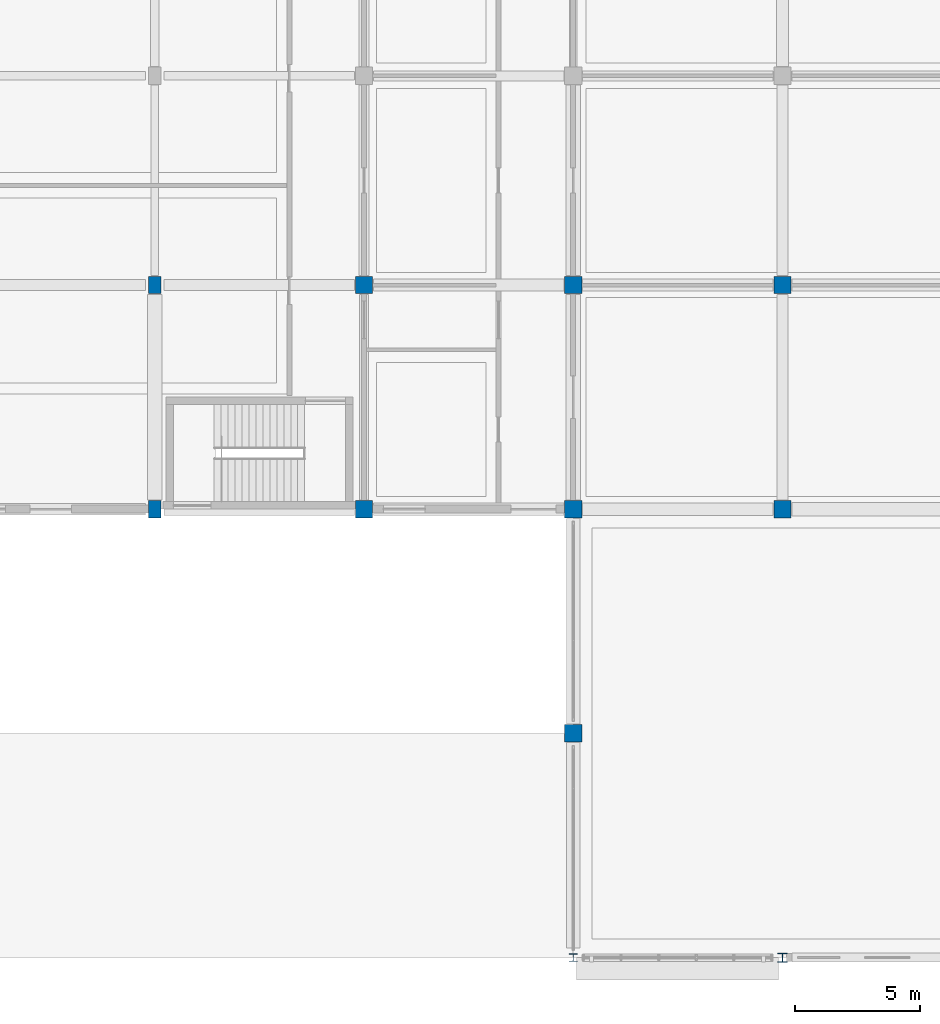
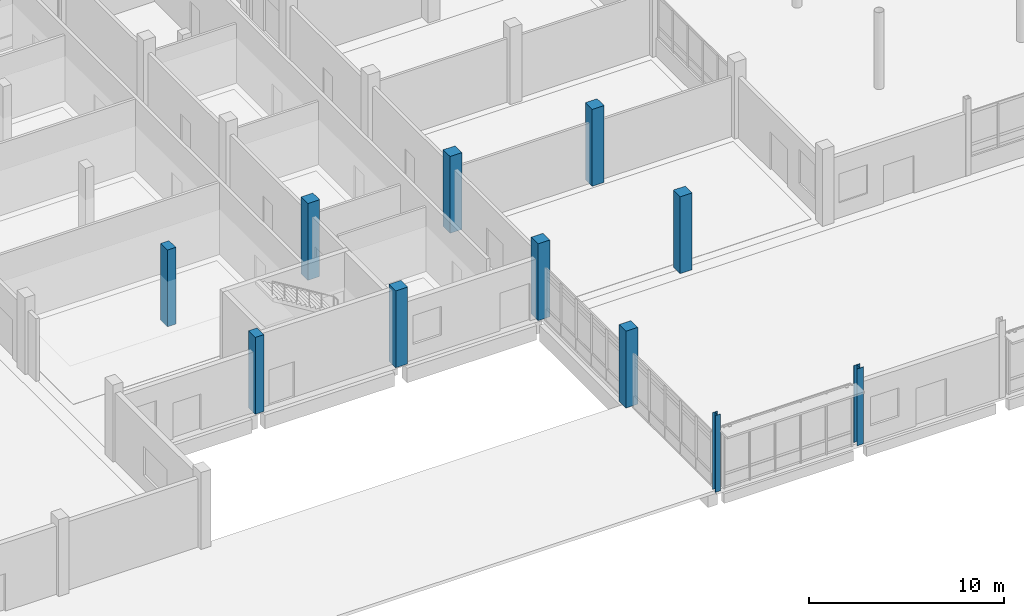
# One storey, part 2 of 95: 11 columns.
"""IFC4 building model written with IfcOpenShell, lengths in metres."""

import ifcopenshell
import ifcopenshell.guid

model = None  # the IFC model being written
_history = None  # IfcOwnerHistory: only IFC2X3 demands one
_inside = {}  # id of a spatial element -> (the spatial element, [elements in it])
_under = {}  # id of a project, library or spatial element -> (it, [spatial elements below it])
_declared = {}  # id of a project -> (the project, [libraries it declares])
_typed = {}  # id of a type object -> (the type object, [elements of that type])
_made_of = {}  # id of a material, layer set ... -> (it, [elements and type objects made of it])


def new_model(schema):
    """Start an empty IFC model of exactly this schema.

    Asked for "IFC4X3", IfcOpenShell would pick the latest addendum, in which some entities
    have other attributes; the version numbers below select the first issue.
    IFC2X3 requires an IfcOwnerHistory on every rooted entity: one is made here for all.
    """
    global model, _history
    if schema == "IFC4X3":
        model = ifcopenshell.file(schema_version=(4, 3, 0, 0))
    else:
        model = ifcopenshell.file(schema=schema)
    _inside.clear()
    _under.clear()
    _declared.clear()
    _typed.clear()
    _made_of.clear()
    _history = None
    if model.schema == "IFC2X3":
        org = make("IfcOrganization", Name="unknown")
        user = make(
            "IfcPersonAndOrganization",
            ThePerson=make("IfcPerson", FamilyName="unknown"),
            TheOrganization=org,
        )
        app = make(
            "IfcApplication",
            ApplicationDeveloper=org,
            Version="unknown",
            ApplicationFullName="unknown",
            ApplicationIdentifier="unknown",
        )
        _history = make(
            "IfcOwnerHistory",
            OwningUser=user,
            OwningApplication=app,
            ChangeAction="ADDED",
            CreationDate=0,
        )
    return model


def make(cls, **values):
    """One entity of the class cls with the attributes given. An attribute that is None is left unset."""
    return model.create_entity(
        cls, **{name: value for name, value in values.items() if value is not None}
    )


def rooted(cls, **values):
    """An entity with a GlobalId (a new one), such as an element, a storey or a relation."""
    return make(cls, GlobalId=ifcopenshell.guid.new(), OwnerHistory=_history, **values)


def si_unit(unit_type, name, prefix=None):
    """IfcSIUnit, for example si_unit("LENGTHUNIT", "METRE", prefix="MILLI")."""
    return make("IfcSIUnit", UnitType=unit_type, Prefix=prefix, Name=name)


def assignment(units):
    """IfcUnitAssignment: the units of a project."""
    return None if units is None else make("IfcUnitAssignment", Units=units)


def point(xyz):
    """IfcCartesianPoint."""
    return None if xyz is None else make("IfcCartesianPoint", Coordinates=xyz)


def direction(xyz):
    """IfcDirection."""
    return None if xyz is None else make("IfcDirection", DirectionRatios=xyz)


def frame(location, z_axis=None, x_axis=None):
    """IfcAxis2Placement3D, a coordinate frame: its origin and axes. An axis left out is left unset."""
    return make(
        "IfcAxis2Placement3D",
        Location=point(location),
        Axis=direction(z_axis),
        RefDirection=direction(x_axis),
    )


def frame_2d(location, x_axis=None):
    """IfcAxis2Placement2D, a coordinate frame in the plane: its origin and x axis."""
    return make(
        "IfcAxis2Placement2D", Location=point(location), RefDirection=direction(x_axis)
    )


def origin():
    """The frame at (0, 0, 0) with its axes left unset."""
    return frame((0.0, 0.0, 0.0))


def origin_2d():
    """The frame at (0, 0) in the plane with its x axis left unset."""
    return frame_2d((0.0, 0.0))


def place(relative_to, where):
    """IfcLocalPlacement: puts the frame where relative to a parent placement (None: the world)."""
    return make(
        "IfcLocalPlacement", PlacementRelTo=relative_to, RelativePlacement=where
    )


def context(
    kind, dimensions, precision=None, world=None, true_north=None, identifier=None
):
    """IfcGeometricRepresentationContext, for example the 3D "Model" context."""
    return make(
        "IfcGeometricRepresentationContext",
        ContextIdentifier=identifier,
        ContextType=kind,
        CoordinateSpaceDimension=dimensions,
        Precision=precision,
        WorldCoordinateSystem=world,
        TrueNorth=true_north,
    )


def subcontext(parent, identifier, kind, view, scale=None):
    """IfcGeometricRepresentationSubContext, for example "Body" below "Model"."""
    return make(
        "IfcGeometricRepresentationSubContext",
        ContextIdentifier=identifier,
        ContextType=kind,
        ParentContext=parent,
        TargetScale=scale,
        TargetView=view,
    )


def project(units=None, contexts=None):
    """IfcProject with its units and contexts."""
    return rooted(
        "IfcProject",
        Name="project",
        RepresentationContexts=contexts,
        UnitsInContext=assignment(units),
    )


def spatial(cls, under=None, at=None, **own):
    """A site, building, storey or space (cls), placed at a placement, below another one or the project."""
    s = rooted(cls, ObjectPlacement=at, **own)
    if under is not None:
        _under.setdefault(under.id(), (under, []))[1].append(s)
    return s


def profile(cls, at=None, kind="AREA", **sizes):
    """A parametric profile (cls). Its sizes go by their IFC names, for example OverallWidth=200.0."""
    return make(cls, ProfileType=kind, Position=at, **sizes)


def rectangle(**sizes):
    """IfcRectangleProfileDef."""
    return profile("IfcRectangleProfileDef", **sizes)


def i_section(**sizes):
    """IfcIShapeProfileDef."""
    return profile("IfcIShapeProfileDef", **sizes)


def extrude(swept, where, along, depth):
    """IfcExtrudedAreaSolid: the profile swept, set in the frame where, extruded along a direction by depth."""
    return make(
        "IfcExtrudedAreaSolid",
        SweptArea=swept,
        Position=where,
        ExtrudedDirection=direction(along),
        Depth=depth,
    )


def shape(context_of_items, identifier, shape_type, items):
    """IfcShapeRepresentation: the items that make up one representation, for example the "Body"."""
    return make(
        "IfcShapeRepresentation",
        ContextOfItems=context_of_items,
        RepresentationIdentifier=identifier,
        RepresentationType=shape_type,
        Items=items,
    )


def material(Name=None, Category=None):
    """IfcMaterial."""
    return make("IfcMaterial", Name=Name, Category=Category)


def material_profile(
    of_material, cross_section, Name=None, Category=None, Priority=None
):
    """IfcMaterialProfile: a cross section and its material."""
    return make(
        "IfcMaterialProfile",
        Name=Name,
        Material=of_material,
        Profile=cross_section,
        Priority=Priority,
        Category=Category,
    )


def profile_set(profiles, Name=None, composite=None):
    """IfcMaterialProfileSet."""
    return make(
        "IfcMaterialProfileSet",
        Name=Name,
        MaterialProfiles=profiles,
        CompositeProfile=composite,
    )


def made_of(thing, what):
    """Note that an element or type object is made of a material, layer set ...; save() writes the relation."""
    if what is not None:
        _made_of.setdefault(what.id(), (what, []))[1].append(thing)
    return thing


def type_object(cls, material=None, **own):
    """A type object (cls), such as IfcWallType, which elements share."""
    return made_of(rooted(cls, **own), material)


def element(
    cls,
    number,
    at=None,
    inside=None,
    cuts=None,
    type_object=None,
    material=None,
    context=None,
    identifier="Body",
    shape_type=None,
    held_by="IfcProductDefinitionShape",
    body=None,
    shapes=None,
    **own,
):
    """One element of the class cls, such as IfcWall. Its Tag is "e" and its number.

    at: its placement. inside: the storey or other place that contains it. cuts: it is an
    opening in that element (IfcRelVoidsElement). A single representation is given by context,
    identifier, shape_type and body (its items); several are given by shapes. held_by: the class
    of the entity that holds the representations. save() writes the other relations.
    """
    e = rooted(cls, Tag="e%d" % number, ObjectPlacement=at, **own)
    if body is not None:
        shapes = [shape(context, identifier, shape_type, body)]
    if shapes is not None:
        e.Representation = make(held_by, Representations=shapes)
    if inside is not None:
        _inside.setdefault(inside.id(), (inside, []))[1].append(e)
    if cuts is not None:
        rooted(
            "IfcRelVoidsElement", RelatingBuildingElement=cuts, RelatedOpeningElement=e
        )
    if type_object is not None:
        _typed.setdefault(type_object.id(), (type_object, []))[1].append(e)
    return made_of(e, material)


def aggregate(whole, parts):
    """IfcRelAggregates: a whole, such as a stair, and the parts it consists of."""
    return rooted("IfcRelAggregates", RelatingObject=whole, RelatedObjects=parts)


def save(model, path):
    """Write the relations noted so far, then the file.

    IfcRelAggregates (storeys below a building ...), IfcRelContainedInSpatialStructure (elements
    in a storey), IfcRelDefinesByType, IfcRelAssociatesMaterial and IfcRelDeclares: one each for
    every whole, place, type object, material and project.
    """
    for whole, parts in _under.values():
        aggregate(whole, parts)
    for where, things in _inside.values():
        rooted(
            "IfcRelContainedInSpatialStructure",
            RelatedElements=things,
            RelatingStructure=where,
        )
    for kind, things in _typed.values():
        rooted("IfcRelDefinesByType", RelatedObjects=things, RelatingType=kind)
    for what, things in _made_of.values():
        rooted("IfcRelAssociatesMaterial", RelatedObjects=things, RelatingMaterial=what)
    for by, libraries in _declared.values():
        rooted("IfcRelDeclares", RelatingContext=by, RelatedDefinitions=libraries)
    model.write(path)


model = new_model("IFC4")

# Units and contexts
model_context = context("Model", 3, precision=1e-05, world=origin(), true_north=direction((0.0, 1.0)))
body_context = subcontext(model_context, "Body", "Model", "MODEL_VIEW")
ifc_project = project(units=[si_unit("LENGTHUNIT", "METRE"), si_unit("AREAUNIT", "SQUARE_METRE"), si_unit("VOLUMEUNIT", "CUBIC_METRE"), si_unit("PLANEANGLEUNIT", "RADIAN"), si_unit("MASSUNIT", "GRAM", prefix="KILO")], contexts=[model_context])

# Site, building, storey
site_placement = place(None, origin())
site = spatial("IfcSite", under=ifc_project, at=site_placement, CompositionType="ELEMENT")
building_placement = place(site_placement, origin())
building = spatial("IfcBuilding", under=site, at=building_placement, Name="Vireocrest Preparatory School", CompositionType="ELEMENT")
storey_placement = place(building_placement, origin())
storey = spatial("IfcBuildingStorey", under=building, at=storey_placement, Name="L00", CompositionType="ELEMENT", Elevation=0.0)

# Columns
ifc_material_1 = material(Name="Concrete 45 MPa", Category="concrete")
ifc_material_profile_1 = material_profile(ifc_material_1, rectangle(XDim=0.699951171875, YDim=0.699951171875, at=origin_2d()), Name="RC 700x700")
ifc_profile_set_1 = profile_set([ifc_material_profile_1], Name="Concrete 45 MPa")
column_type_1 = type_object("IfcColumnType", Name="RC Column 700x700", PredefinedType="COLUMN", material=ifc_profile_set_1)
for number, where, z_axis, x_axis, name in (
    (1, (42.0, 18.0, 0.0), (0.0, 0.0, 1.0), (1.0, 0.0, 0.0), "Column C07 L00 6/C"),
    (2, (42.0, 27.0, 0.0), (0.0, 0.0, 1.0), (1.0, 0.0, 0.0), "Column C07 L00 6/D"),
    (3, (50.39990234375, 9.0, 0.0), (0.0, 0.0, 1.0), (1.0, 0.0, 0.0), "Column C07 L00 7/B"),
    (4, (50.39990234375, 18.0, 0.0), (0.0, 0.0, 1.0), (1.0, 0.0, 0.0), "Column C07 L00 7/C"),
    (5, (50.39990234375, 27.0, 0.0), (0.0, 0.0, 1.0), (1.0, 0.0, 0.0), "Column C07 L00 7/D"),
    (6, (58.800048828125, 18.0, 0.0), (0.0, 0.0, 1.0), (1.0, 0.0, 0.0), "Column C07 L00 8/C"),
    (7, (58.800048828125, 27.0, 0.0), (0.0, 0.0, 1.0), (1.0, 0.0, 0.0), "Column C07 L00 8/D"),
):
    element("IfcColumn", number, at=place(storey_placement, frame(where, z_axis=z_axis, x_axis=x_axis)), inside=storey, type_object=column_type_1, Name=name, PredefinedType="COLUMN", context=body_context, shape_type="SweptSolid", body=[
        extrude(rectangle(XDim=0.699951171875, YDim=0.699951171875, at=origin_2d()), origin(), (0.0, 0.0, 1.0), 4.800048828125),
    ])
ifc_material_profile_2 = material_profile(ifc_material_1, rectangle(XDim=0.5, YDim=0.699951171875, at=origin_2d()), Name="RC 500x700")
ifc_profile_set_2 = profile_set([ifc_material_profile_2], Name="Concrete 45 MPa")
column_type_2 = type_object("IfcColumnType", Name="RC Hall Column 500x700", PredefinedType="COLUMN", material=ifc_profile_set_2)
for number, where, z_axis, x_axis, name in (
    (8, (33.60009765625, 18.0, 0.0), (0.0, 0.0, 1.0), (1.0, 0.0, 0.0), "Column C12 L00 5/C"),
    (9, (33.60009765625, 27.0, 0.0), (0.0, 0.0, 1.0), (1.0, 0.0, 0.0), "Column C12 L00 5/D"),
):
    element("IfcColumn", number, at=place(storey_placement, frame(where, z_axis=z_axis, x_axis=x_axis)), inside=storey, type_object=column_type_2, Name=name, PredefinedType="COLUMN", context=body_context, shape_type="SweptSolid", body=[
        extrude(rectangle(XDim=0.5, YDim=0.699951171875, at=origin_2d()), origin(), (0.0, 0.0, 1.0), 4.800048828125),
    ])
ifc_material_2 = material(Name="Structural steel ASTM A992 Grade 50", Category="steel")
ifc_material_profile_3 = material_profile(ifc_material_2, i_section(OverallWidth=0.368896484375, OverallDepth=0.35595703125, WebThickness=0.01123046875, FlangeThickness=0.01806640625, FilletRadius=0.014892578125, at=origin_2d()), Name="W14X90")
ifc_profile_set_3 = profile_set([ifc_material_profile_3], Name="Structural steel ASTM A992 Grade 50")
column_type_3 = type_object("IfcColumnType", Name="Steel Gable Column W14X90", PredefinedType="COLUMN", material=ifc_profile_set_3)
column_1_placement = place(storey_placement, frame((58.800048828125, 0.0, 0.0), z_axis=(0.0, 0.0, 1.0), x_axis=(1.0, 0.0, 0.0)))
element("IfcColumn", 10, at=column_1_placement, inside=storey, type_object=column_type_3, Name="Column SC1 L00 8/A", PredefinedType="COLUMN", context=body_context, shape_type="SweptSolid", body=[
    extrude(i_section(OverallWidth=0.368896484375, OverallDepth=0.35595703125, WebThickness=0.01123046875, FlangeThickness=0.01806640625, FilletRadius=0.014892578125, at=origin_2d()), origin(), (0.0, 0.0, 1.0), 4.800048828125),
])
ifc_material_profile_4 = material_profile(ifc_material_2, i_section(OverallWidth=0.304931640625, OverallDepth=0.30810546875, WebThickness=0.010009765625, FlangeThickness=0.015380859375, FilletRadius=0.012939453125, at=origin_2d()), Name="W12X65")
ifc_profile_set_4 = profile_set([ifc_material_profile_4], Name="Structural steel ASTM A992 Grade 50")
column_type_4 = type_object("IfcColumnType", Name="Steel Pavilion Column W12X65", PredefinedType="COLUMN", material=ifc_profile_set_4)
column_2_placement = place(storey_placement, frame((50.39990234375, 0.0, 0.0), z_axis=(0.0, 0.0, 1.0), x_axis=(1.0, 0.0, 0.0)))
element("IfcColumn", 11, at=column_2_placement, inside=storey, type_object=column_type_4, Name="Column SC3 L00 7/A", PredefinedType="COLUMN", context=body_context, shape_type="SweptSolid", body=[
    extrude(i_section(OverallWidth=0.304931640625, OverallDepth=0.30810546875, WebThickness=0.010009765625, FlangeThickness=0.015380859375, FilletRadius=0.012939453125, at=origin_2d()), origin(), (0.0, 0.0, 1.0), 4.800048828125),
])

save(model, "model.ifc")
